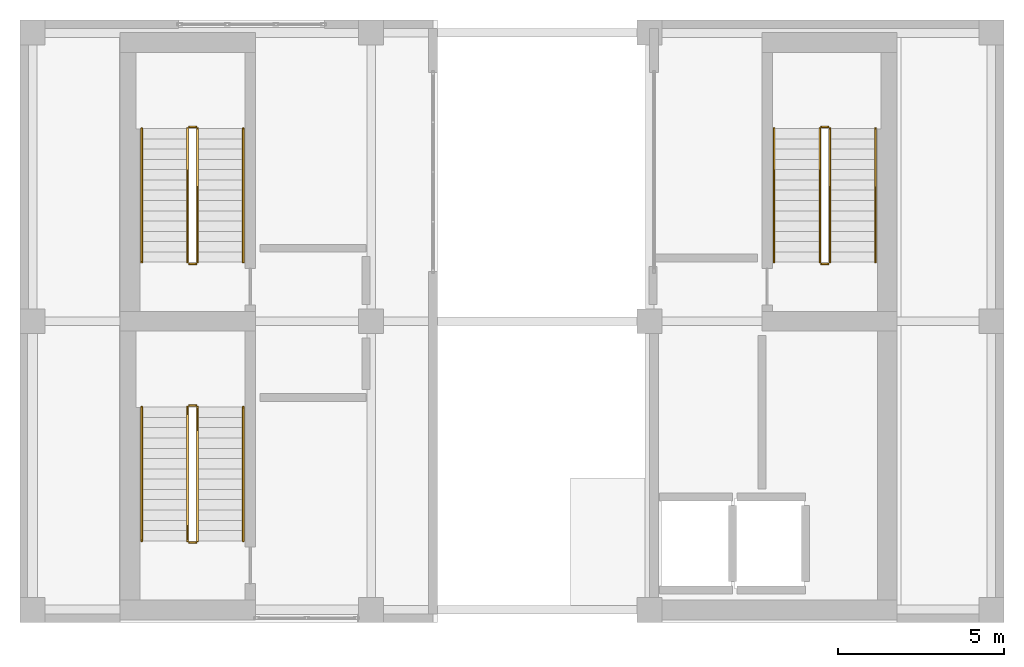
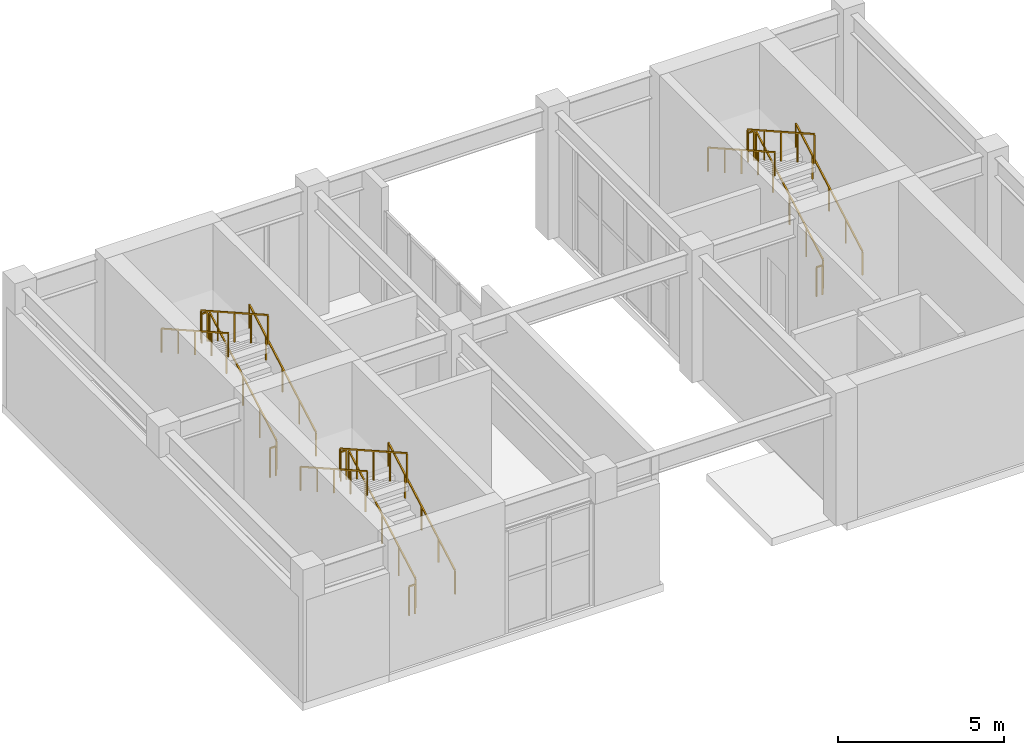
# One storey, part 11 of 11: 18 railings.
"""IFC4 building model written with IfcOpenShell, lengths in metres."""

import ifcopenshell
import ifcopenshell.guid

model = None  # the IFC model being written
_history = None  # IfcOwnerHistory: only IFC2X3 demands one
_inside = {}  # id of a spatial element -> (the spatial element, [elements in it])
_under = {}  # id of a project, library or spatial element -> (it, [spatial elements below it])
_declared = {}  # id of a project -> (the project, [libraries it declares])
_typed = {}  # id of a type object -> (the type object, [elements of that type])
_made_of = {}  # id of a material, layer set ... -> (it, [elements and type objects made of it])


def new_model(schema):
    """Start an empty IFC model of exactly this schema.

    Asked for "IFC4X3", IfcOpenShell would pick the latest addendum, in which some entities
    have other attributes; the version numbers below select the first issue.
    IFC2X3 requires an IfcOwnerHistory on every rooted entity: one is made here for all.
    """
    global model, _history
    if schema == "IFC4X3":
        model = ifcopenshell.file(schema_version=(4, 3, 0, 0))
    else:
        model = ifcopenshell.file(schema=schema)
    _inside.clear()
    _under.clear()
    _declared.clear()
    _typed.clear()
    _made_of.clear()
    _history = None
    if model.schema == "IFC2X3":
        org = make("IfcOrganization", Name="unknown")
        user = make(
            "IfcPersonAndOrganization",
            ThePerson=make("IfcPerson", FamilyName="unknown"),
            TheOrganization=org,
        )
        app = make(
            "IfcApplication",
            ApplicationDeveloper=org,
            Version="unknown",
            ApplicationFullName="unknown",
            ApplicationIdentifier="unknown",
        )
        _history = make(
            "IfcOwnerHistory",
            OwningUser=user,
            OwningApplication=app,
            ChangeAction="ADDED",
            CreationDate=0,
        )
    return model


def make(cls, **values):
    """One entity of the class cls with the attributes given. An attribute that is None is left unset."""
    return model.create_entity(
        cls, **{name: value for name, value in values.items() if value is not None}
    )


def rooted(cls, **values):
    """An entity with a GlobalId (a new one), such as an element, a storey or a relation."""
    return make(cls, GlobalId=ifcopenshell.guid.new(), OwnerHistory=_history, **values)


def si_unit(unit_type, name, prefix=None):
    """IfcSIUnit, for example si_unit("LENGTHUNIT", "METRE", prefix="MILLI")."""
    return make("IfcSIUnit", UnitType=unit_type, Prefix=prefix, Name=name)


def assignment(units):
    """IfcUnitAssignment: the units of a project."""
    return None if units is None else make("IfcUnitAssignment", Units=units)


def point(xyz):
    """IfcCartesianPoint."""
    return None if xyz is None else make("IfcCartesianPoint", Coordinates=xyz)


def direction(xyz):
    """IfcDirection."""
    return None if xyz is None else make("IfcDirection", DirectionRatios=xyz)


def frame(location, z_axis=None, x_axis=None):
    """IfcAxis2Placement3D, a coordinate frame: its origin and axes. An axis left out is left unset."""
    return make(
        "IfcAxis2Placement3D",
        Location=point(location),
        Axis=direction(z_axis),
        RefDirection=direction(x_axis),
    )


def frame_2d(location, x_axis=None):
    """IfcAxis2Placement2D, a coordinate frame in the plane: its origin and x axis."""
    return make(
        "IfcAxis2Placement2D", Location=point(location), RefDirection=direction(x_axis)
    )


def origin():
    """The frame at (0, 0, 0) with its axes left unset."""
    return frame((0.0, 0.0, 0.0))


def origin_2d():
    """The frame at (0, 0) in the plane with its x axis left unset."""
    return frame_2d((0.0, 0.0))


def place(relative_to, where):
    """IfcLocalPlacement: puts the frame where relative to a parent placement (None: the world)."""
    return make(
        "IfcLocalPlacement", PlacementRelTo=relative_to, RelativePlacement=where
    )


def context(
    kind, dimensions, precision=None, world=None, true_north=None, identifier=None
):
    """IfcGeometricRepresentationContext, for example the 3D "Model" context."""
    return make(
        "IfcGeometricRepresentationContext",
        ContextIdentifier=identifier,
        ContextType=kind,
        CoordinateSpaceDimension=dimensions,
        Precision=precision,
        WorldCoordinateSystem=world,
        TrueNorth=true_north,
    )


def subcontext(parent, identifier, kind, view, scale=None):
    """IfcGeometricRepresentationSubContext, for example "Body" below "Model"."""
    return make(
        "IfcGeometricRepresentationSubContext",
        ContextIdentifier=identifier,
        ContextType=kind,
        ParentContext=parent,
        TargetScale=scale,
        TargetView=view,
    )


def project(units=None, contexts=None):
    """IfcProject with its units and contexts."""
    return rooted(
        "IfcProject",
        Name="project",
        RepresentationContexts=contexts,
        UnitsInContext=assignment(units),
    )


def spatial(cls, under=None, at=None, **own):
    """A site, building, storey or space (cls), placed at a placement, below another one or the project."""
    s = rooted(cls, ObjectPlacement=at, **own)
    if under is not None:
        _under.setdefault(under.id(), (under, []))[1].append(s)
    return s


def profile(cls, at=None, kind="AREA", **sizes):
    """A parametric profile (cls). Its sizes go by their IFC names, for example OverallWidth=200.0."""
    return make(cls, ProfileType=kind, Position=at, **sizes)


def rectangle(**sizes):
    """IfcRectangleProfileDef."""
    return profile("IfcRectangleProfileDef", **sizes)


def extrude(swept, where, along, depth):
    """IfcExtrudedAreaSolid: the profile swept, set in the frame where, extruded along a direction by depth."""
    return make(
        "IfcExtrudedAreaSolid",
        SweptArea=swept,
        Position=where,
        ExtrudedDirection=direction(along),
        Depth=depth,
    )


def shape(context_of_items, identifier, shape_type, items):
    """IfcShapeRepresentation: the items that make up one representation, for example the "Body"."""
    return make(
        "IfcShapeRepresentation",
        ContextOfItems=context_of_items,
        RepresentationIdentifier=identifier,
        RepresentationType=shape_type,
        Items=items,
    )


def material(Name=None, Category=None):
    """IfcMaterial."""
    return make("IfcMaterial", Name=Name, Category=Category)


def made_of(thing, what):
    """Note that an element or type object is made of a material, layer set ...; save() writes the relation."""
    if what is not None:
        _made_of.setdefault(what.id(), (what, []))[1].append(thing)
    return thing


def type_object(cls, material=None, **own):
    """A type object (cls), such as IfcWallType, which elements share."""
    return made_of(rooted(cls, **own), material)


def element(
    cls,
    number,
    at=None,
    inside=None,
    cuts=None,
    type_object=None,
    material=None,
    context=None,
    identifier="Body",
    shape_type=None,
    held_by="IfcProductDefinitionShape",
    body=None,
    shapes=None,
    **own,
):
    """One element of the class cls, such as IfcWall. Its Tag is "e" and its number.

    at: its placement. inside: the storey or other place that contains it. cuts: it is an
    opening in that element (IfcRelVoidsElement). A single representation is given by context,
    identifier, shape_type and body (its items); several are given by shapes. held_by: the class
    of the entity that holds the representations. save() writes the other relations.
    """
    e = rooted(cls, Tag="e%d" % number, ObjectPlacement=at, **own)
    if body is not None:
        shapes = [shape(context, identifier, shape_type, body)]
    if shapes is not None:
        e.Representation = make(held_by, Representations=shapes)
    if inside is not None:
        _inside.setdefault(inside.id(), (inside, []))[1].append(e)
    if cuts is not None:
        rooted(
            "IfcRelVoidsElement", RelatingBuildingElement=cuts, RelatedOpeningElement=e
        )
    if type_object is not None:
        _typed.setdefault(type_object.id(), (type_object, []))[1].append(e)
    return made_of(e, material)


def aggregate(whole, parts):
    """IfcRelAggregates: a whole, such as a stair, and the parts it consists of."""
    return rooted("IfcRelAggregates", RelatingObject=whole, RelatedObjects=parts)


def save(model, path):
    """Write the relations noted so far, then the file.

    IfcRelAggregates (storeys below a building ...), IfcRelContainedInSpatialStructure (elements
    in a storey), IfcRelDefinesByType, IfcRelAssociatesMaterial and IfcRelDeclares: one each for
    every whole, place, type object, material and project.
    """
    for whole, parts in _under.values():
        aggregate(whole, parts)
    for where, things in _inside.values():
        rooted(
            "IfcRelContainedInSpatialStructure",
            RelatedElements=things,
            RelatingStructure=where,
        )
    for kind, things in _typed.values():
        rooted("IfcRelDefinesByType", RelatedObjects=things, RelatingType=kind)
    for what, things in _made_of.values():
        rooted("IfcRelAssociatesMaterial", RelatedObjects=things, RelatingMaterial=what)
    for by, libraries in _declared.values():
        rooted("IfcRelDeclares", RelatingContext=by, RelatedDefinitions=libraries)
    model.write(path)


model = new_model("IFC4")

# Units and contexts
model_context = context("Model", 3, precision=1e-05, world=origin(), true_north=direction((0.0, 1.0)))
body_context = subcontext(model_context, "Body", "Model", "MODEL_VIEW")
ifc_project = project(units=[si_unit("LENGTHUNIT", "METRE"), si_unit("AREAUNIT", "SQUARE_METRE"), si_unit("VOLUMEUNIT", "CUBIC_METRE"), si_unit("PLANEANGLEUNIT", "RADIAN"), si_unit("MASSUNIT", "GRAM", prefix="KILO")], contexts=[model_context])

# Site, building, storey
site_placement = place(None, origin())
site = spatial("IfcSite", under=ifc_project, at=site_placement, CompositionType="ELEMENT")
building_placement = place(site_placement, origin())
building = spatial("IfcBuilding", under=site, at=building_placement, Name="Solanera Arch Residences", CompositionType="ELEMENT")
storey_placement = place(building_placement, frame((0.0, 0.0, 282.97998046875)))
storey = spatial("IfcBuildingStorey", under=building, at=storey_placement, Name="L81", CompositionType="ELEMENT", Elevation=282.97998046875)

# Railings
ifc_material_1 = material(Name="Steel S355 (ASTM A992 / A572 Grade 50)", Category="steel")
railing_type_1 = type_object("IfcRailingType", Name="Stair Guardrail GR-1100", PredefinedType="GUARDRAIL", material=ifc_material_1)
railing_1_placement = place(storey_placement, frame((15.570068359375, 32.47998046875, 0.159912109375)))
element("IfcRailing", 1, at=railing_1_placement, inside=storey, type_object=railing_type_1, Name="L81 ST-T1 stair guard 1", PredefinedType="GUARDRAIL", context=body_context, shape_type="SweptSolid", body=[
    extrude(rectangle(XDim=0.048095703125, YDim=0.048095703125, at=origin_2d()), frame((0.0, 0.0, 1.076171875), z_axis=(0.0, 0.870812288514, 0.491615661033), x_axis=(-1.0, 0.0, 0.0)), (0.0, 0.0, 1.0), 4.6279296875),
    extrude(rectangle(XDim=0.0419921875, YDim=0.0419921875, at=origin_2d()), origin(), (0.0, 0.0, 1.0), 1.052001953125),
    extrude(rectangle(XDim=0.0419921875, YDim=0.0419921875, at=origin_2d()), frame((0.0, 1.007568359375, 0.56884765625)), (0.0, 0.0, 1.0), 1.052001953125),
    extrude(rectangle(XDim=0.0419921875, YDim=0.0419921875, at=origin_2d()), frame((0.0, 2.01513671875, 1.1376953125)), (0.0, 0.0, 1.0), 1.052001953125),
    extrude(rectangle(XDim=0.0419921875, YDim=0.0419921875, at=origin_2d()), frame((0.0, 3.0224609375, 1.706298828125)), (0.0, 0.0, 1.0), 1.052001953125),
    extrude(rectangle(XDim=0.0419921875, YDim=0.0419921875, at=origin_2d()), frame((0.0, 4.030029296875, 2.275146484375)), (0.0, 0.0, 1.0), 1.052001953125),
])
railing_2_placement = place(storey_placement, frame((15.52001953125, 36.56005859375, 2.43505859375)))
element("IfcRailing", 2, at=railing_2_placement, inside=storey, type_object=railing_type_1, Name="L81 ST-T1 stair guard 2", PredefinedType="GUARDRAIL", context=body_context, shape_type="SweptSolid", body=[
    extrude(rectangle(XDim=0.048095703125, YDim=0.048095703125, at=origin_2d()), frame((0.0, 0.0, 1.076171875), z_axis=(-1.0, 0.0, 0.0), x_axis=(0.0, -1.0, 0.0)), (0.0, 0.0, 1.0), 0.199951171875),
    extrude(rectangle(XDim=0.0419921875, YDim=0.0419921875, at=origin_2d()), origin(), (0.0, 0.0, 1.0), 1.052001953125),
    extrude(rectangle(XDim=0.0419921875, YDim=0.0419921875, at=origin_2d()), frame((-0.199951171875, 0.0, 0.0)), (0.0, 0.0, 1.0), 1.052001953125),
])
railing_3_placement = place(storey_placement, frame((15.27001953125, 36.510009765625, 2.610107421875)))
element("IfcRailing", 3, at=railing_3_placement, inside=storey, type_object=railing_type_1, Name="L81 ST-T1 stair guard 3", PredefinedType="GUARDRAIL", context=body_context, shape_type="SweptSolid", body=[
    extrude(rectangle(XDim=0.048095703125, YDim=0.048095703125, at=origin_2d()), frame((0.0, 0.0, 1.076171875), z_axis=(0.0, -0.870834872482, 0.491575655285), x_axis=(1.0, 0.0, 0.0)), (0.0, 0.0, 1.0), 4.627685546875),
    extrude(rectangle(XDim=0.0419921875, YDim=0.0419921875, at=origin_2d()), origin(), (0.0, 0.0, 1.0), 1.052001953125),
    extrude(rectangle(XDim=0.0419921875, YDim=0.0419921875, at=origin_2d()), frame((0.0, -1.007568359375, 0.56884765625)), (0.0, 0.0, 1.0), 1.052001953125),
    extrude(rectangle(XDim=0.0419921875, YDim=0.0419921875, at=origin_2d()), frame((0.0, -2.01513671875, 1.137451171875)), (0.0, 0.0, 1.0), 1.052001953125),
    extrude(rectangle(XDim=0.0419921875, YDim=0.0419921875, at=origin_2d()), frame((0.0, -3.0224609375, 1.7060546875)), (0.0, 0.0, 1.0), 1.052001953125),
    extrude(rectangle(XDim=0.0419921875, YDim=0.0419921875, at=origin_2d()), frame((0.0, -4.030029296875, 2.27490234375)), (0.0, 0.0, 1.0), 1.052001953125),
])
railing_4_placement = place(storey_placement, frame((15.52001953125, 32.429931640625, -0.014892578125)))
element("IfcRailing", 4, at=railing_4_placement, inside=storey, type_object=railing_type_1, Name="L81 ST-T1 stair guard 4", PredefinedType="GUARDRAIL", context=body_context, shape_type="SweptSolid", body=[
    extrude(rectangle(XDim=0.048095703125, YDim=0.048095703125, at=origin_2d()), frame((0.0, 0.0, 1.076171875), z_axis=(-1.0, 0.0, 0.0), x_axis=(0.0, -1.0, 0.0)), (0.0, 0.0, 1.0), 0.199951171875),
    extrude(rectangle(XDim=0.0419921875, YDim=0.0419921875, at=origin_2d()), origin(), (0.0, 0.0, 1.0), 1.052001953125),
    extrude(rectangle(XDim=0.0419921875, YDim=0.0419921875, at=origin_2d()), frame((-0.199951171875, 0.0, 0.0)), (0.0, 0.0, 1.0), 1.052001953125),
])
railing_5_placement = place(storey_placement, frame((34.6298828125, 32.47998046875, 0.159912109375)))
element("IfcRailing", 5, at=railing_5_placement, inside=storey, type_object=railing_type_1, Name="L81 ST-T2 stair guard 1", PredefinedType="GUARDRAIL", context=body_context, shape_type="SweptSolid", body=[
    extrude(rectangle(XDim=0.048095703125, YDim=0.048095703125, at=origin_2d()), frame((0.0, 0.0, 1.076171875), z_axis=(0.0, 0.870812288514, 0.491615661033), x_axis=(-1.0, 0.0, 0.0)), (0.0, 0.0, 1.0), 4.6279296875),
    extrude(rectangle(XDim=0.0419921875, YDim=0.0419921875, at=origin_2d()), origin(), (0.0, 0.0, 1.0), 1.052001953125),
    extrude(rectangle(XDim=0.0419921875, YDim=0.0419921875, at=origin_2d()), frame((0.0, 1.007568359375, 0.56884765625)), (0.0, 0.0, 1.0), 1.052001953125),
    extrude(rectangle(XDim=0.0419921875, YDim=0.0419921875, at=origin_2d()), frame((0.0, 2.01513671875, 1.1376953125)), (0.0, 0.0, 1.0), 1.052001953125),
    extrude(rectangle(XDim=0.0419921875, YDim=0.0419921875, at=origin_2d()), frame((0.0, 3.0224609375, 1.706298828125)), (0.0, 0.0, 1.0), 1.052001953125),
    extrude(rectangle(XDim=0.0419921875, YDim=0.0419921875, at=origin_2d()), frame((0.0, 4.030029296875, 2.275146484375)), (0.0, 0.0, 1.0), 1.052001953125),
])
railing_6_placement = place(storey_placement, frame((34.580078125, 36.56005859375, 2.43505859375)))
element("IfcRailing", 6, at=railing_6_placement, inside=storey, type_object=railing_type_1, Name="L81 ST-T2 stair guard 2", PredefinedType="GUARDRAIL", context=body_context, shape_type="SweptSolid", body=[
    extrude(rectangle(XDim=0.048095703125, YDim=0.048095703125, at=origin_2d()), frame((0.0, 0.0, 1.076171875), z_axis=(-1.0, 0.0, 0.0), x_axis=(0.0, -1.0, 0.0)), (0.0, 0.0, 1.0), 0.2001953125),
    extrude(rectangle(XDim=0.0419921875, YDim=0.0419921875, at=origin_2d()), origin(), (0.0, 0.0, 1.0), 1.052001953125),
    extrude(rectangle(XDim=0.0419921875, YDim=0.0419921875, at=origin_2d()), frame((-0.2001953125, 0.0, 0.0)), (0.0, 0.0, 1.0), 1.052001953125),
])
railing_7_placement = place(storey_placement, frame((34.330078125, 36.510009765625, 2.610107421875)))
element("IfcRailing", 7, at=railing_7_placement, inside=storey, type_object=railing_type_1, Name="L81 ST-T2 stair guard 3", PredefinedType="GUARDRAIL", context=body_context, shape_type="SweptSolid", body=[
    extrude(rectangle(XDim=0.048095703125, YDim=0.048095703125, at=origin_2d()), frame((0.0, 0.0, 1.076171875), z_axis=(0.0, -0.870834872482, 0.491575655285), x_axis=(1.0, 0.0, 0.0)), (0.0, 0.0, 1.0), 4.627685546875),
    extrude(rectangle(XDim=0.0419921875, YDim=0.0419921875, at=origin_2d()), origin(), (0.0, 0.0, 1.0), 1.052001953125),
    extrude(rectangle(XDim=0.0419921875, YDim=0.0419921875, at=origin_2d()), frame((0.0, -1.007568359375, 0.56884765625)), (0.0, 0.0, 1.0), 1.052001953125),
    extrude(rectangle(XDim=0.0419921875, YDim=0.0419921875, at=origin_2d()), frame((0.0, -2.01513671875, 1.137451171875)), (0.0, 0.0, 1.0), 1.052001953125),
    extrude(rectangle(XDim=0.0419921875, YDim=0.0419921875, at=origin_2d()), frame((0.0, -3.0224609375, 1.7060546875)), (0.0, 0.0, 1.0), 1.052001953125),
    extrude(rectangle(XDim=0.0419921875, YDim=0.0419921875, at=origin_2d()), frame((0.0, -4.030029296875, 2.27490234375)), (0.0, 0.0, 1.0), 1.052001953125),
])
railing_8_placement = place(storey_placement, frame((34.580078125, 32.429931640625, -0.014892578125)))
element("IfcRailing", 8, at=railing_8_placement, inside=storey, type_object=railing_type_1, Name="L81 ST-T2 stair guard 4", PredefinedType="GUARDRAIL", context=body_context, shape_type="SweptSolid", body=[
    extrude(rectangle(XDim=0.048095703125, YDim=0.048095703125, at=origin_2d()), frame((0.0, 0.0, 1.076171875), z_axis=(-1.0, 0.0, 0.0), x_axis=(0.0, -1.0, 0.0)), (0.0, 0.0, 1.0), 0.2001953125),
    extrude(rectangle(XDim=0.0419921875, YDim=0.0419921875, at=origin_2d()), origin(), (0.0, 0.0, 1.0), 1.052001953125),
    extrude(rectangle(XDim=0.0419921875, YDim=0.0419921875, at=origin_2d()), frame((-0.2001953125, 0.0, 0.0)), (0.0, 0.0, 1.0), 1.052001953125),
])
railing_9_placement = place(storey_placement, frame((15.570068359375, 24.080078125, 0.159912109375)))
element("IfcRailing", 9, at=railing_9_placement, inside=storey, type_object=railing_type_1, Name="L81 ST-T3 stair guard 1", PredefinedType="GUARDRAIL", context=body_context, shape_type="SweptSolid", body=[
    extrude(rectangle(XDim=0.048095703125, YDim=0.048095703125, at=origin_2d()), frame((0.0, 0.0, 1.076171875), z_axis=(0.0, 0.870812288514, 0.491615661033), x_axis=(-1.0, 0.0, 0.0)), (0.0, 0.0, 1.0), 4.6279296875),
    extrude(rectangle(XDim=0.0419921875, YDim=0.0419921875, at=origin_2d()), origin(), (0.0, 0.0, 1.0), 1.052001953125),
    extrude(rectangle(XDim=0.0419921875, YDim=0.0419921875, at=origin_2d()), frame((0.0, 1.007568359375, 0.56884765625)), (0.0, 0.0, 1.0), 1.052001953125),
    extrude(rectangle(XDim=0.0419921875, YDim=0.0419921875, at=origin_2d()), frame((0.0, 2.01513671875, 1.1376953125)), (0.0, 0.0, 1.0), 1.052001953125),
    extrude(rectangle(XDim=0.0419921875, YDim=0.0419921875, at=origin_2d()), frame((0.0, 3.0224609375, 1.706298828125)), (0.0, 0.0, 1.0), 1.052001953125),
    extrude(rectangle(XDim=0.0419921875, YDim=0.0419921875, at=origin_2d()), frame((0.0, 4.030029296875, 2.275146484375)), (0.0, 0.0, 1.0), 1.052001953125),
])
railing_10_placement = place(storey_placement, frame((15.52001953125, 28.159912109375, 2.43505859375)))
element("IfcRailing", 10, at=railing_10_placement, inside=storey, type_object=railing_type_1, Name="L81 ST-T3 stair guard 2", PredefinedType="GUARDRAIL", context=body_context, shape_type="SweptSolid", body=[
    extrude(rectangle(XDim=0.048095703125, YDim=0.048095703125, at=origin_2d()), frame((0.0, 0.0, 1.076171875), z_axis=(-1.0, 0.0, 0.0), x_axis=(0.0, -1.0, 0.0)), (0.0, 0.0, 1.0), 0.199951171875),
    extrude(rectangle(XDim=0.0419921875, YDim=0.0419921875, at=origin_2d()), origin(), (0.0, 0.0, 1.0), 1.052001953125),
    extrude(rectangle(XDim=0.0419921875, YDim=0.0419921875, at=origin_2d()), frame((-0.199951171875, 0.0, 0.0)), (0.0, 0.0, 1.0), 1.052001953125),
])
railing_11_placement = place(storey_placement, frame((15.27001953125, 28.110107421875, 2.610107421875)))
element("IfcRailing", 11, at=railing_11_placement, inside=storey, type_object=railing_type_1, Name="L81 ST-T3 stair guard 3", PredefinedType="GUARDRAIL", context=body_context, shape_type="SweptSolid", body=[
    extrude(rectangle(XDim=0.048095703125, YDim=0.048095703125, at=origin_2d()), frame((0.0, 0.0, 1.076171875), z_axis=(0.0, -0.870834872482, 0.491575655285), x_axis=(1.0, 0.0, 0.0)), (0.0, 0.0, 1.0), 4.627685546875),
    extrude(rectangle(XDim=0.0419921875, YDim=0.0419921875, at=origin_2d()), origin(), (0.0, 0.0, 1.0), 1.052001953125),
    extrude(rectangle(XDim=0.0419921875, YDim=0.0419921875, at=origin_2d()), frame((0.0, -1.007568359375, 0.56884765625)), (0.0, 0.0, 1.0), 1.052001953125),
    extrude(rectangle(XDim=0.0419921875, YDim=0.0419921875, at=origin_2d()), frame((0.0, -2.01513671875, 1.137451171875)), (0.0, 0.0, 1.0), 1.052001953125),
    extrude(rectangle(XDim=0.0419921875, YDim=0.0419921875, at=origin_2d()), frame((0.0, -3.0224609375, 1.7060546875)), (0.0, 0.0, 1.0), 1.052001953125),
    extrude(rectangle(XDim=0.0419921875, YDim=0.0419921875, at=origin_2d()), frame((0.0, -4.030029296875, 2.27490234375)), (0.0, 0.0, 1.0), 1.052001953125),
])
railing_12_placement = place(storey_placement, frame((15.52001953125, 24.030029296875, -0.014892578125)))
element("IfcRailing", 12, at=railing_12_placement, inside=storey, type_object=railing_type_1, Name="L81 ST-T3 stair guard 4", PredefinedType="GUARDRAIL", context=body_context, shape_type="SweptSolid", body=[
    extrude(rectangle(XDim=0.048095703125, YDim=0.048095703125, at=origin_2d()), frame((0.0, 0.0, 1.076171875), z_axis=(-1.0, 0.0, 0.0), x_axis=(0.0, -1.0, 0.0)), (0.0, 0.0, 1.0), 0.199951171875),
    extrude(rectangle(XDim=0.0419921875, YDim=0.0419921875, at=origin_2d()), origin(), (0.0, 0.0, 1.0), 1.052001953125),
    extrude(rectangle(XDim=0.0419921875, YDim=0.0419921875, at=origin_2d()), frame((-0.199951171875, 0.0, 0.0)), (0.0, 0.0, 1.0), 1.052001953125),
])
ifc_material_2 = material(Name="Steel S355 (ASTM A992 / A572 Grade 50)", Category="steel")
railing_type_2 = type_object("IfcRailingType", Name="Stair Wall Handrail HR-920", PredefinedType="HANDRAIL", material=ifc_material_2)
railing_13_placement = place(storey_placement, frame((16.949951171875, 32.47998046875, 0.175048828125)))
element("IfcRailing", 13, at=railing_13_placement, inside=storey, type_object=railing_type_2, Name="L81 ST-T1 stair handrail 1", PredefinedType="HANDRAIL", context=body_context, shape_type="SweptSolid", body=[
    extrude(rectangle(XDim=0.048095703125, YDim=0.048095703125, at=origin_2d()), frame((0.0, 0.0, 0.8759765625), z_axis=(0.0, 0.870834872482, 0.491575655285), x_axis=(-1.0, 0.0, 0.0)), (0.0, 0.0, 1.0), 4.627685546875),
    extrude(rectangle(XDim=0.0419921875, YDim=0.0419921875, at=origin_2d()), origin(), (0.0, 0.0, 1.0), 0.851806640625),
    extrude(rectangle(XDim=0.0419921875, YDim=0.0419921875, at=origin_2d()), frame((0.0, 1.007568359375, 0.56884765625)), (0.0, 0.0, 1.0), 0.851806640625),
    extrude(rectangle(XDim=0.0419921875, YDim=0.0419921875, at=origin_2d()), frame((0.0, 2.01513671875, 1.137451171875)), (0.0, 0.0, 1.0), 0.851806640625),
    extrude(rectangle(XDim=0.0419921875, YDim=0.0419921875, at=origin_2d()), frame((0.0, 3.0224609375, 1.7060546875)), (0.0, 0.0, 1.0), 0.851806640625),
    extrude(rectangle(XDim=0.0419921875, YDim=0.0419921875, at=origin_2d()), frame((0.0, 4.030029296875, 2.27490234375)), (0.0, 0.0, 1.0), 0.851806640625),
])
railing_14_placement = place(storey_placement, frame((13.889892578125, 36.510009765625, 2.625)))
element("IfcRailing", 14, at=railing_14_placement, inside=storey, type_object=railing_type_2, Name="L81 ST-T1 stair handrail 2", PredefinedType="HANDRAIL", context=body_context, shape_type="SweptSolid", body=[
    extrude(rectangle(XDim=0.048095703125, YDim=0.048095703125, at=origin_2d()), frame((0.0, 0.0, 0.8759765625), z_axis=(0.0, -0.870834872482, 0.491575655285), x_axis=(1.0, 0.0, 0.0)), (0.0, 0.0, 1.0), 4.627685546875),
    extrude(rectangle(XDim=0.0419921875, YDim=0.0419921875, at=origin_2d()), origin(), (0.0, 0.0, 1.0), 0.851806640625),
    extrude(rectangle(XDim=0.0419921875, YDim=0.0419921875, at=origin_2d()), frame((0.0, -1.007568359375, 0.56884765625)), (0.0, 0.0, 1.0), 0.851806640625),
    extrude(rectangle(XDim=0.0419921875, YDim=0.0419921875, at=origin_2d()), frame((0.0, -2.01513671875, 1.137451171875)), (0.0, 0.0, 1.0), 0.851806640625),
    extrude(rectangle(XDim=0.0419921875, YDim=0.0419921875, at=origin_2d()), frame((0.0, -3.0224609375, 1.7060546875)), (0.0, 0.0, 1.0), 0.851806640625),
    extrude(rectangle(XDim=0.0419921875, YDim=0.0419921875, at=origin_2d()), frame((0.0, -4.030029296875, 2.27490234375)), (0.0, 0.0, 1.0), 0.851806640625),
])
railing_15_placement = place(storey_placement, frame((36.010009765625, 32.47998046875, 0.175048828125)))
element("IfcRailing", 15, at=railing_15_placement, inside=storey, type_object=railing_type_2, Name="L81 ST-T2 stair handrail 1", PredefinedType="HANDRAIL", context=body_context, shape_type="SweptSolid", body=[
    extrude(rectangle(XDim=0.048095703125, YDim=0.048095703125, at=origin_2d()), frame((0.0, 0.0, 0.8759765625), z_axis=(0.0, 0.870834872482, 0.491575655285), x_axis=(-1.0, 0.0, 0.0)), (0.0, 0.0, 1.0), 4.627685546875),
    extrude(rectangle(XDim=0.0419921875, YDim=0.0419921875, at=origin_2d()), origin(), (0.0, 0.0, 1.0), 0.851806640625),
    extrude(rectangle(XDim=0.0419921875, YDim=0.0419921875, at=origin_2d()), frame((0.0, 1.007568359375, 0.56884765625)), (0.0, 0.0, 1.0), 0.851806640625),
    extrude(rectangle(XDim=0.0419921875, YDim=0.0419921875, at=origin_2d()), frame((0.0, 2.01513671875, 1.137451171875)), (0.0, 0.0, 1.0), 0.851806640625),
    extrude(rectangle(XDim=0.0419921875, YDim=0.0419921875, at=origin_2d()), frame((0.0, 3.0224609375, 1.7060546875)), (0.0, 0.0, 1.0), 0.851806640625),
    extrude(rectangle(XDim=0.0419921875, YDim=0.0419921875, at=origin_2d()), frame((0.0, 4.030029296875, 2.27490234375)), (0.0, 0.0, 1.0), 0.851806640625),
])
railing_16_placement = place(storey_placement, frame((32.949951171875, 36.510009765625, 2.625)))
element("IfcRailing", 16, at=railing_16_placement, inside=storey, type_object=railing_type_2, Name="L81 ST-T2 stair handrail 2", PredefinedType="HANDRAIL", context=body_context, shape_type="SweptSolid", body=[
    extrude(rectangle(XDim=0.048095703125, YDim=0.048095703125, at=origin_2d()), frame((0.0, 0.0, 0.8759765625), z_axis=(0.0, -0.870834872482, 0.491575655285), x_axis=(1.0, 0.0, 0.0)), (0.0, 0.0, 1.0), 4.627685546875),
    extrude(rectangle(XDim=0.0419921875, YDim=0.0419921875, at=origin_2d()), origin(), (0.0, 0.0, 1.0), 0.851806640625),
    extrude(rectangle(XDim=0.0419921875, YDim=0.0419921875, at=origin_2d()), frame((0.0, -1.007568359375, 0.56884765625)), (0.0, 0.0, 1.0), 0.851806640625),
    extrude(rectangle(XDim=0.0419921875, YDim=0.0419921875, at=origin_2d()), frame((0.0, -2.01513671875, 1.137451171875)), (0.0, 0.0, 1.0), 0.851806640625),
    extrude(rectangle(XDim=0.0419921875, YDim=0.0419921875, at=origin_2d()), frame((0.0, -3.0224609375, 1.7060546875)), (0.0, 0.0, 1.0), 0.851806640625),
    extrude(rectangle(XDim=0.0419921875, YDim=0.0419921875, at=origin_2d()), frame((0.0, -4.030029296875, 2.27490234375)), (0.0, 0.0, 1.0), 0.851806640625),
])
railing_17_placement = place(storey_placement, frame((16.949951171875, 24.080078125, 0.175048828125)))
element("IfcRailing", 17, at=railing_17_placement, inside=storey, type_object=railing_type_2, Name="L81 ST-T3 stair handrail 1", PredefinedType="HANDRAIL", context=body_context, shape_type="SweptSolid", body=[
    extrude(rectangle(XDim=0.048095703125, YDim=0.048095703125, at=origin_2d()), frame((0.0, 0.0, 0.8759765625), z_axis=(0.0, 0.870834872482, 0.491575655285), x_axis=(-1.0, 0.0, 0.0)), (0.0, 0.0, 1.0), 4.627685546875),
    extrude(rectangle(XDim=0.0419921875, YDim=0.0419921875, at=origin_2d()), origin(), (0.0, 0.0, 1.0), 0.851806640625),
    extrude(rectangle(XDim=0.0419921875, YDim=0.0419921875, at=origin_2d()), frame((0.0, 1.007568359375, 0.56884765625)), (0.0, 0.0, 1.0), 0.851806640625),
    extrude(rectangle(XDim=0.0419921875, YDim=0.0419921875, at=origin_2d()), frame((0.0, 2.01513671875, 1.137451171875)), (0.0, 0.0, 1.0), 0.851806640625),
    extrude(rectangle(XDim=0.0419921875, YDim=0.0419921875, at=origin_2d()), frame((0.0, 3.0224609375, 1.7060546875)), (0.0, 0.0, 1.0), 0.851806640625),
    extrude(rectangle(XDim=0.0419921875, YDim=0.0419921875, at=origin_2d()), frame((0.0, 4.030029296875, 2.27490234375)), (0.0, 0.0, 1.0), 0.851806640625),
])
railing_18_placement = place(storey_placement, frame((13.889892578125, 28.110107421875, 2.625)))
element("IfcRailing", 18, at=railing_18_placement, inside=storey, type_object=railing_type_2, Name="L81 ST-T3 stair handrail 2", PredefinedType="HANDRAIL", context=body_context, shape_type="SweptSolid", body=[
    extrude(rectangle(XDim=0.048095703125, YDim=0.048095703125, at=origin_2d()), frame((0.0, 0.0, 0.8759765625), z_axis=(0.0, -0.870834872482, 0.491575655285), x_axis=(1.0, 0.0, 0.0)), (0.0, 0.0, 1.0), 4.627685546875),
    extrude(rectangle(XDim=0.0419921875, YDim=0.0419921875, at=origin_2d()), origin(), (0.0, 0.0, 1.0), 0.851806640625),
    extrude(rectangle(XDim=0.0419921875, YDim=0.0419921875, at=origin_2d()), frame((0.0, -1.007568359375, 0.56884765625)), (0.0, 0.0, 1.0), 0.851806640625),
    extrude(rectangle(XDim=0.0419921875, YDim=0.0419921875, at=origin_2d()), frame((0.0, -2.01513671875, 1.137451171875)), (0.0, 0.0, 1.0), 0.851806640625),
    extrude(rectangle(XDim=0.0419921875, YDim=0.0419921875, at=origin_2d()), frame((0.0, -3.0224609375, 1.7060546875)), (0.0, 0.0, 1.0), 0.851806640625),
    extrude(rectangle(XDim=0.0419921875, YDim=0.0419921875, at=origin_2d()), frame((0.0, -4.030029296875, 2.27490234375)), (0.0, 0.0, 1.0), 0.851806640625),
])

save(model, "model.ifc")
